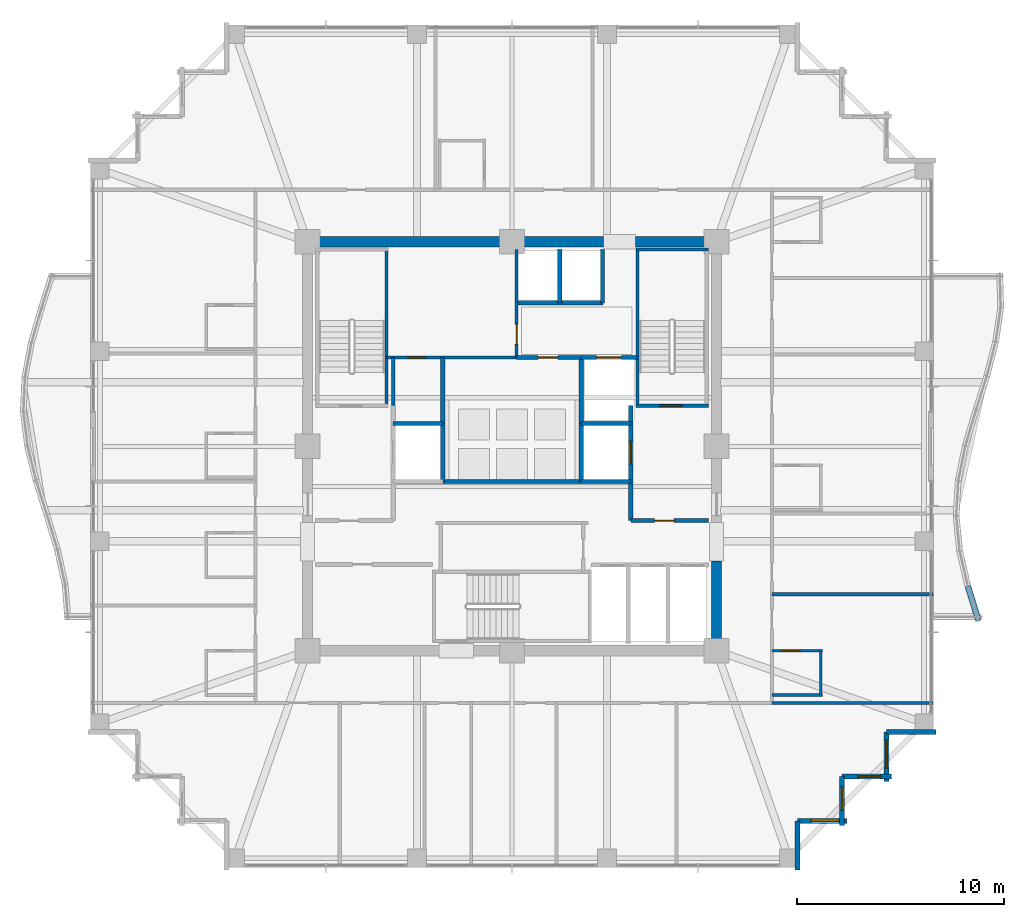
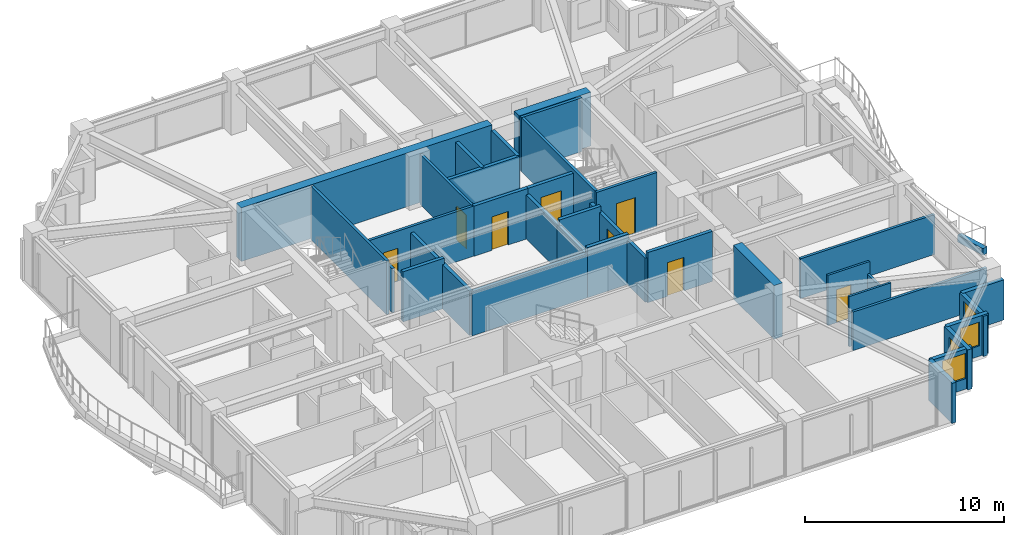
# One storey, part 30 of 34: 37 walls, 8 doors, 4 windows, 12 openings.
"""IFC4 building model written with IfcOpenShell, lengths in metres."""

from ifc_helpers import new_model, si_unit, direction, frame, frame_2d, origin, place, context, subcontext, project, spatial, rectangle, extrude, material, layer, layer_set, type_object, element, fill, save


model = new_model("IFC4")

# Units and contexts
model_context = context("Model", 3, precision=1e-05, world=origin(), true_north=direction((0.0, 1.0)))
body_context = subcontext(model_context, "Body", "Model", "MODEL_VIEW")
ifc_project = project(units=[si_unit("LENGTHUNIT", "METRE"), si_unit("AREAUNIT", "SQUARE_METRE"), si_unit("VOLUMEUNIT", "CUBIC_METRE"), si_unit("PLANEANGLEUNIT", "RADIAN"), si_unit("MASSUNIT", "GRAM", prefix="KILO")], contexts=[model_context])

# Site, building, storey
site_placement = place(None, origin())
site = spatial("IfcSite", under=ifc_project, at=site_placement, CompositionType="ELEMENT")
building_placement = place(site_placement, origin())
building = spatial("IfcBuilding", under=site, at=building_placement, Name="Kolvaren Belvedere", CompositionType="ELEMENT")
storey_placement = place(building_placement, frame((0.0, 0.0, 189.89990234375)))
storey = spatial("IfcBuildingStorey", under=building, at=storey_placement, Name="L55", CompositionType="ELEMENT", Elevation=189.89990234375)

# Walls
ifc_material_1 = material(Name="Concrete C50/60", Category="concrete")
ifc_layer_1 = layer(ifc_material_1, 0.5)
ifc_layer_set_1 = layer_set([ifc_layer_1], Name="Concrete C50/60")
wall_type_1 = type_object("IfcWallType", Name="CW-CORE-500", PredefinedType="SHEAR", material=ifc_layer_set_1)
wall_1_placement = place(storey_placement, frame((-10.14990234375, 9.89990234375, 0.0), z_axis=(0.0, 0.0, 1.0), x_axis=(1.0, 0.0, 0.0)))
element("IfcWall", 1, at=wall_1_placement, inside=storey, type_object=wall_type_1, Name="L55 North Core Shear Wall 1", PredefinedType="SHEAR", context=body_context, shape_type="SweptSolid", body=[
    extrude(rectangle(XDim=14.56982421875, YDim=0.5, at=frame_2d((7.284912109375, 0.0))), origin(), (0.0, 0.0, 1.0), 3.300048828125),
])
wall_2_placement = place(storey_placement, frame((5.97998046875, 9.89990234375, 0.0), z_axis=(0.0, 0.0, 1.0), x_axis=(1.0, 0.0, 0.0)))
element("IfcWall", 2, at=wall_2_placement, inside=storey, type_object=wall_type_1, Name="L55 North Core Shear Wall 2", PredefinedType="SHEAR", context=body_context, shape_type="SweptSolid", body=[
    extrude(rectangle(XDim=4.169921875, YDim=0.5, at=frame_2d((2.0849609375, 0.0))), origin(), (0.0, 0.0, 1.0), 3.300048828125),
])
wall_3_placement = place(storey_placement, frame((9.89990234375, -9.64990234375, 0.0), z_axis=(0.0, 0.0, 1.0), x_axis=(0.0, 1.0, 0.0)))
element("IfcWall", 3, at=wall_3_placement, inside=storey, type_object=wall_type_1, Name="L55 East Core Shear Wall 1", PredefinedType="SHEAR", context=body_context, shape_type="SweptSolid", body=[
    extrude(rectangle(XDim=4.099853515625, YDim=0.5, at=frame_2d((2.0498046875, 0.0))), origin(), (0.0, 0.0, 1.0), 3.300048828125),
])
ifc_material_2 = material(Name="Concrete C50/60", Category="concrete")
ifc_layer_2 = layer(ifc_material_2, 0.159912109375)
ifc_layer_set_2 = layer_set([ifc_layer_2], Name="Concrete C50/60")
wall_type_2 = type_object("IfcWallType", Name="CW-STAIR-160", PredefinedType="SHEAR", material=ifc_layer_set_2)
wall_4_placement = place(storey_placement, frame((-6.080078125, 1.969970703125, 0.0), z_axis=(0.0, 0.0, 1.0), x_axis=(0.0, 1.0, 0.0)))
element("IfcWall", 4, at=wall_4_placement, inside=storey, type_object=wall_type_2, Name="L55 Stair ST-1 East Shear Wall", PredefinedType="SHEAR", context=body_context, shape_type="SweptSolid", body=[
    extrude(rectangle(XDim=7.56005859375, YDim=0.159912109375, at=frame_2d((3.780029296875, 0.0))), origin(), (0.0, 0.0, 1.0), 3.300048828125),
])

# Wall, opening, door
wall_5_placement = place(storey_placement, frame((6.0, 1.969970703125, 0.0), z_axis=(0.0, 0.0, 1.0), x_axis=(1.0, 0.0, 0.0)))
wall_5 = element("IfcWall", 5, at=wall_5_placement, inside=storey, type_object=wall_type_2, Name="L55 Stair ST-2 South Shear Wall", PredefinedType="SHEAR", context=body_context, shape_type="SweptSolid", body=[
    extrude(rectangle(XDim=3.52001953125, YDim=0.159912109375, at=frame_2d((1.760009765625, 0.0))), origin(), (0.0, 0.0, 1.0), 3.300048828125),
])
opening_1_placement = place(wall_5_placement, frame((1.14990234375, 0.0, 0.0)))
opening_1 = element("IfcOpeningElement", 6, at=opening_1_placement, cuts=wall_5, Name="Opening D-FD90", PredefinedType="OPENING", context=body_context, shape_type="SweptSolid", body=[
    extrude(rectangle(XDim=1.10009765625, YDim=2.199951171875, at=frame_2d((0.550048828125, 1.10009765625))), frame((0.0, 0.08984375, 0.0), z_axis=(0.0, -1.0, 0.0), x_axis=(1.0, 0.0, 0.0)), (0.0, 0.0, 1.0), 0.179931640625),
])
ifc_material_3 = material(Name="Painted hollow stainless steel", Category="steel")
door_type_1 = type_object("IfcDoorType", Name="DR-FD90-1100", OperationType="NOTDEFINED", PredefinedType="DOOR", material=ifc_material_3)
door_1_placement = place(opening_1_placement, origin())
door_1 = element("IfcDoor", 7, at=door_1_placement, inside=storey, type_object=door_type_1, Name="L55 Stair ST-2 Fire Door", OperationType="SINGLE_SWING_RIGHT", OverallHeight=2.199951171875, OverallWidth=1.10009765625, PredefinedType="DOOR", context=body_context, shape_type="SweptSolid", body=[
    extrude(rectangle(XDim=1.10009765625, YDim=2.199951171875, at=frame_2d((0.550048828125, 1.10009765625))), frame((0.0, 0.02490234375, 0.0), z_axis=(0.0, -1.0, 0.0), x_axis=(1.0, 0.0, 0.0)), (0.0, 0.0, 1.0), 0.050048828125),
])
fill(opening_1, door_1)

# Walls
wall_6_placement = place(storey_placement, frame((6.0, 9.530029296875, 0.0), z_axis=(0.0, 0.0, 1.0), x_axis=(1.0, 0.0, 0.0)))
element("IfcWall", 8, at=wall_6_placement, inside=storey, type_object=wall_type_2, Name="L55 Stair ST-2 North Shear Wall", PredefinedType="SHEAR", context=body_context, shape_type="SweptSolid", body=[
    extrude(rectangle(XDim=3.52001953125, YDim=0.159912109375, at=frame_2d((1.760009765625, 0.0))), origin(), (0.0, 0.0, 1.0), 3.300048828125),
])
wall_7_placement = place(storey_placement, frame((6.080078125, 1.969970703125, 0.0), z_axis=(0.0, 0.0, 1.0), x_axis=(0.0, 1.0, 0.0)))
element("IfcWall", 9, at=wall_7_placement, inside=storey, type_object=wall_type_2, Name="L55 Stair ST-2 West Shear Wall", PredefinedType="SHEAR", context=body_context, shape_type="SweptSolid", body=[
    extrude(rectangle(XDim=7.56005859375, YDim=0.159912109375, at=frame_2d((3.780029296875, 0.0))), origin(), (0.0, 0.0, 1.0), 3.300048828125),
])
ifc_material_4 = material(Name="Insulated pale-metal facade wall assembly", Category="aluminium")
ifc_layer_3 = layer(ifc_material_4, 0.239990234375)
ifc_layer_set_3 = layer_set([ifc_layer_3], Name="Insulated pale-metal facade wall assembly")
wall_type_3 = type_object("IfcWallType", Name="WL-EXT-240", PredefinedType="STANDARD", material=ifc_layer_set_3)
wall_8_placement = place(storey_placement, frame((13.830078125, -18.1298828125, 0.0), z_axis=(0.0, 0.0, 1.0), x_axis=(0.0, -1.0, 0.0)))
element("IfcWall", 10, at=wall_8_placement, inside=storey, type_object=wall_type_3, Name="L55 Serrated Corner Facade Wall 2", PredefinedType="STANDARD", context=body_context, shape_type="SweptSolid", body=[
    extrude(rectangle(XDim=2.39013671875, YDim=0.239990234375, at=frame_2d((1.195068359375, 0.0))), origin(), (0.0, 0.0, 1.0), 2.463134765625),
])

# Wall, opening, window
wall_9_placement = place(storey_placement, frame((16.219970703125, -18.1298828125, 0.0), z_axis=(0.0, 0.0, 1.0), x_axis=(-1.0, 0.0, 0.0)))
wall_9 = element("IfcWall", 11, at=wall_9_placement, inside=storey, type_object=wall_type_3, Name="L55 Serrated Corner Facade Wall 3", PredefinedType="STANDARD", context=body_context, shape_type="SweptSolid", body=[
    extrude(rectangle(XDim=2.389892578125, YDim=0.239990234375, at=frame_2d((1.19482421875, 0.0))), origin(), (0.0, 0.0, 1.0), 2.463134765625),
])
opening_2_placement = place(wall_9_placement, frame((0.39990234375, 0.0, 0.64990234375)))
opening_2 = element("IfcOpeningElement", 12, at=opening_2_placement, cuts=wall_9, Name="Opening W-1350", PredefinedType="OPENING", context=body_context, shape_type="SweptSolid", body=[
    extrude(rectangle(XDim=1.35009765625, YDim=1.550048828125, at=frame_2d((0.675048828125, 0.77490234375))), frame((0.0, 0.1298828125, 0.0), z_axis=(0.0, -1.0, 0.0), x_axis=(1.0, 0.0, 0.0)), (0.0, 0.0, 1.0), 0.260009765625),
])
ifc_material_5 = material(Name="Low-iron triple insulated glass", Category="glass")
window_type_1 = type_object("IfcWindowType", Name="WN-CORN-1350", PartitioningType="SINGLE_PANEL", PredefinedType="WINDOW", material=ifc_material_5)
window_1_placement = place(opening_2_placement, origin())
window_1 = element("IfcWindow", 13, at=window_1_placement, inside=storey, type_object=window_type_1, Name="L55 Serrated Corner Vision Window 3", OverallHeight=1.550048828125, OverallWidth=1.35009765625, PartitioningType="SINGLE_PANEL", PredefinedType="WINDOW", context=body_context, shape_type="SweptSolid", body=[
    extrude(rectangle(XDim=1.35009765625, YDim=1.550048828125, at=frame_2d((0.675048828125, 0.77490234375))), frame((0.0, 0.030029296875, 0.0), z_axis=(0.0, -1.0, 0.0), x_axis=(1.0, 0.0, 0.0)), (0.0, 0.0, 1.0), 0.06005859375),
])
fill(opening_2, window_1)

wall_10_placement = place(storey_placement, frame((15.97998046875, -15.97998046875, 0.0), z_axis=(0.0, 0.0, 1.0), x_axis=(0.0, -1.0, 0.0)))
wall_10 = element("IfcWall", 14, at=wall_10_placement, inside=storey, type_object=wall_type_3, Name="L55 Serrated Corner Facade Wall 4", PredefinedType="STANDARD", context=body_context, shape_type="SweptSolid", body=[
    extrude(rectangle(XDim=2.39013671875, YDim=0.239990234375, at=frame_2d((1.195068359375, 0.0))), origin(), (0.0, 0.0, 1.0), 2.463134765625),
])
opening_3_placement = place(wall_10_placement, frame((0.52490234375, 0.0, 0.64990234375)))
opening_3 = element("IfcOpeningElement", 15, at=opening_3_placement, cuts=wall_10, Name="Opening W-1100", PredefinedType="OPENING", context=body_context, shape_type="SweptSolid", body=[
    extrude(rectangle(XDim=1.10009765625, YDim=1.449951171875, at=frame_2d((0.550048828125, 0.72509765625))), frame((0.0, 0.1298828125, 0.0), z_axis=(0.0, -1.0, 0.0), x_axis=(1.0, 0.0, 0.0)), (0.0, 0.0, 1.0), 0.260009765625),
])
ifc_material_6 = material(Name="Low-iron triple insulated glass", Category="glass")
window_type_2 = type_object("IfcWindowType", Name="WN-CORN-1100", PartitioningType="SINGLE_PANEL", PredefinedType="WINDOW", material=ifc_material_6)
window_2_placement = place(opening_3_placement, origin())
window_2 = element("IfcWindow", 16, at=window_2_placement, inside=storey, type_object=window_type_2, Name="L55 Serrated Corner Vision Window 4", OverallHeight=1.449951171875, OverallWidth=1.10009765625, PartitioningType="SINGLE_PANEL", PredefinedType="WINDOW", context=body_context, shape_type="SweptSolid", body=[
    extrude(rectangle(XDim=1.10009765625, YDim=1.449951171875, at=frame_2d((0.550048828125, 0.72509765625))), frame((0.0, 0.030029296875, 0.0), z_axis=(0.0, -1.0, 0.0), x_axis=(1.0, 0.0, 0.0)), (0.0, 0.0, 1.0), 0.06005859375),
])
fill(opening_3, window_2)

wall_11_placement = place(storey_placement, frame((18.3701171875, -15.97998046875, 0.0), z_axis=(0.0, 0.0, 1.0), x_axis=(-1.0, 0.0, 0.0)))
wall_11 = element("IfcWall", 17, at=wall_11_placement, inside=storey, type_object=wall_type_3, Name="L55 Serrated Corner Facade Wall 5", PredefinedType="STANDARD", context=body_context, shape_type="SweptSolid", body=[
    extrude(rectangle(XDim=2.39013671875, YDim=0.239990234375, at=frame_2d((1.195068359375, 0.0))), origin(), (0.0, 0.0, 1.0), 2.463134765625),
])
opening_4_placement = place(wall_11_placement, frame((0.52490234375, 0.0, 0.64990234375)))
opening_4 = element("IfcOpeningElement", 18, at=opening_4_placement, cuts=wall_11, Name="Opening W-1100", PredefinedType="OPENING", context=body_context, shape_type="SweptSolid", body=[
    extrude(rectangle(XDim=1.10009765625, YDim=1.449951171875, at=frame_2d((0.550048828125, 0.72509765625))), frame((0.0, 0.1298828125, 0.0), z_axis=(0.0, -1.0, 0.0), x_axis=(1.0, 0.0, 0.0)), (0.0, 0.0, 1.0), 0.260009765625),
])
window_3_placement = place(opening_4_placement, origin())
window_3 = element("IfcWindow", 19, at=window_3_placement, inside=storey, type_object=window_type_2, Name="L55 Serrated Corner Vision Window 5", OverallHeight=1.449951171875, OverallWidth=1.10009765625, PartitioningType="SINGLE_PANEL", PredefinedType="WINDOW", context=body_context, shape_type="SweptSolid", body=[
    extrude(rectangle(XDim=1.10009765625, YDim=1.449951171875, at=frame_2d((0.550048828125, 0.72509765625))), frame((0.0, 0.030029296875, 0.0), z_axis=(0.0, -1.0, 0.0), x_axis=(1.0, 0.0, 0.0)), (0.0, 0.0, 1.0), 0.06005859375),
])
fill(opening_4, window_3)

wall_12_placement = place(storey_placement, frame((18.1298828125, -13.830078125, 0.0), z_axis=(0.0, 0.0, 1.0), x_axis=(0.0, -1.0, 0.0)))
wall_12 = element("IfcWall", 20, at=wall_12_placement, inside=storey, type_object=wall_type_3, Name="L55 Serrated Corner Facade Wall 6", PredefinedType="STANDARD", context=body_context, shape_type="SweptSolid", body=[
    extrude(rectangle(XDim=2.389892578125, YDim=0.239990234375, at=frame_2d((1.19482421875, 0.0))), origin(), (0.0, 0.0, 1.0), 2.463134765625),
])
opening_5_placement = place(wall_12_placement, frame((0.39990234375, 0.0, 0.64990234375)))
opening_5 = element("IfcOpeningElement", 21, at=opening_5_placement, cuts=wall_12, Name="Opening W-1350", PredefinedType="OPENING", context=body_context, shape_type="SweptSolid", body=[
    extrude(rectangle(XDim=1.35009765625, YDim=1.550048828125, at=frame_2d((0.675048828125, 0.77490234375))), frame((0.0, 0.1298828125, 0.0), z_axis=(0.0, -1.0, 0.0), x_axis=(1.0, 0.0, 0.0)), (0.0, 0.0, 1.0), 0.260009765625),
])
window_4_placement = place(opening_5_placement, origin())
window_4 = element("IfcWindow", 22, at=window_4_placement, inside=storey, type_object=window_type_1, Name="L55 Serrated Corner Vision Window 6", OverallHeight=1.550048828125, OverallWidth=1.35009765625, PartitioningType="SINGLE_PANEL", PredefinedType="WINDOW", context=body_context, shape_type="SweptSolid", body=[
    extrude(rectangle(XDim=1.35009765625, YDim=1.550048828125, at=frame_2d((0.675048828125, 0.77490234375))), frame((0.0, 0.030029296875, 0.0), z_axis=(0.0, -1.0, 0.0), x_axis=(1.0, 0.0, 0.0)), (0.0, 0.0, 1.0), 0.06005859375),
])
fill(opening_5, window_4)

# Wall
wall_13_placement = place(storey_placement, frame((20.52001953125, -13.830078125, 0.0), z_axis=(0.0, 0.0, 1.0), x_axis=(-1.0, 0.0, 0.0)))
element("IfcWall", 23, at=wall_13_placement, inside=storey, type_object=wall_type_3, Name="L55 Serrated Corner Facade Wall 7", PredefinedType="STANDARD", context=body_context, shape_type="SweptSolid", body=[
    extrude(rectangle(XDim=2.39013671875, YDim=0.239990234375, at=frame_2d((1.195068359375, 0.0))), origin(), (0.0, 0.0, 1.0), 2.463134765625),
])

# Wall, opening, door
ifc_material_7 = material(Name="Gypsum acoustic partition assembly", Category="gypsum")
ifc_layer_4 = layer(ifc_material_7, 0.14990234375)
ifc_layer_set_4 = layer_set([ifc_layer_4], Name="Gypsum acoustic partition assembly")
wall_type_4 = type_object("IfcWallType", Name="WL-PART-150", PredefinedType="PARTITIONING", material=ifc_layer_set_4)
wall_14_placement = place(storey_placement, frame((-6.080078125, 4.300048828125, 0.0), z_axis=(0.0, 0.0, 1.0), x_axis=(1.0, 0.0, 0.0)))
wall_14 = element("IfcWall", 24, at=wall_14_placement, inside=storey, type_object=wall_type_4, Name="L55 Reclaimed Salon South Wall", PredefinedType="PARTITIONING", context=body_context, shape_type="SweptSolid", body=[
    extrude(rectangle(XDim=6.300048828125, YDim=0.14990234375, at=frame_2d((3.14990234375, 0.0))), origin(), (0.0, 0.0, 1.0), 3.080078125),
])
opening_6_placement = place(wall_14_placement, frame((1.050048828125, 0.0, 0.0)))
opening_6 = element("IfcOpeningElement", 25, at=opening_6_placement, cuts=wall_14, Name="Opening D-INT85", PredefinedType="OPENING", context=body_context, shape_type="SweptSolid", body=[
    extrude(rectangle(XDim=0.85009765625, YDim=2.030029296875, at=frame_2d((0.425048828125, 1.01513671875))), frame((0.0, 0.0849609375, 0.0), z_axis=(0.0, -1.0, 0.0), x_axis=(1.0, 0.0, 0.0)), (0.0, 0.0, 1.0), 0.169921875),
])
ifc_material_8 = material(Name="Stained Pacific white oak", Category="timber")
door_type_2 = type_object("IfcDoorType", Name="DR-INT-850", OperationType="NOTDEFINED", PredefinedType="DOOR", material=ifc_material_8)
door_2_placement = place(opening_6_placement, origin())
door_2 = element("IfcDoor", 26, at=door_2_placement, inside=storey, type_object=door_type_2, Name="L55 NW Core Store Door", OperationType="SINGLE_SWING_RIGHT", OverallHeight=2.030029296875, OverallWidth=0.85009765625, PredefinedType="DOOR", context=body_context, shape_type="SweptSolid", body=[
    extrude(rectangle(XDim=0.85009765625, YDim=2.030029296875, at=frame_2d((0.425048828125, 1.01513671875))), frame((0.0, 0.02490234375, 0.0), z_axis=(0.0, -1.0, 0.0), x_axis=(1.0, 0.0, 0.0)), (0.0, 0.0, 1.0), 0.050048828125),
])
fill(opening_6, door_2)

wall_15_placement = place(storey_placement, frame((0.219970703125, 4.300048828125, 0.0), z_axis=(0.0, 0.0, 1.0), x_axis=(0.0, 1.0, 0.0)))
wall_15 = element("IfcWall", 27, at=wall_15_placement, inside=storey, type_object=wall_type_4, Name="L55 Reclaimed Salon East Wall", PredefinedType="PARTITIONING", context=body_context, shape_type="SweptSolid", body=[
    extrude(rectangle(XDim=5.219970703125, YDim=0.14990234375, at=frame_2d((2.60986328125, 0.0))), origin(), (0.0, 0.0, 1.0), 3.080078125),
])
opening_7_placement = place(wall_15_placement, frame((0.64990234375, 0.0, 0.0)))
opening_7 = element("IfcOpeningElement", 28, at=opening_7_placement, cuts=wall_15, Name="Opening D-INT95", PredefinedType="OPENING", context=body_context, shape_type="SweptSolid", body=[
    extrude(rectangle(XDim=0.949951171875, YDim=2.06005859375, at=frame_2d((0.47509765625, 1.030029296875))), frame((0.0, 0.0849609375, 0.0), z_axis=(0.0, -1.0, 0.0), x_axis=(1.0, 0.0, 0.0)), (0.0, 0.0, 1.0), 0.169921875),
])
ifc_material_9 = material(Name="Stained Pacific white oak", Category="timber")
door_type_3 = type_object("IfcDoorType", Name="DR-INT-950", OperationType="NOTDEFINED", PredefinedType="DOOR", material=ifc_material_9)
door_3_placement = place(opening_7_placement, origin())
door_3 = element("IfcDoor", 29, at=door_3_placement, inside=storey, type_object=door_type_3, Name="L55 Botanical Reading Salon Door", OperationType="SINGLE_SWING_LEFT", OverallHeight=2.06005859375, OverallWidth=0.949951171875, PredefinedType="DOOR", context=body_context, shape_type="SweptSolid", body=[
    extrude(rectangle(XDim=0.949951171875, YDim=2.06005859375, at=frame_2d((0.47509765625, 1.030029296875))), frame((0.0, 0.02490234375, 0.0), z_axis=(0.0, -1.0, 0.0), x_axis=(1.0, 0.0, 0.0)), (0.0, 0.0, 1.0), 0.050048828125),
])
fill(opening_7, door_3)

# Walls
wall_16_placement = place(storey_placement, frame((-5.75, 1.969970703125, 0.0), z_axis=(0.0, 0.0, 1.0), x_axis=(0.0, 1.0, 0.0)))
element("IfcWall", 30, at=wall_16_placement, inside=storey, type_object=wall_type_4, Name="L55 NW Service Room West Wall", PredefinedType="PARTITIONING", context=body_context, shape_type="SweptSolid", body=[
    extrude(rectangle(XDim=2.330078125, YDim=0.14990234375, at=frame_2d((1.1650390625, 0.0))), origin(), (0.0, 0.0, 1.0), 2.715087890625),
])
wall_17_placement = place(storey_placement, frame((12.580078125, -12.419921875, 0.0), z_axis=(0.0, 0.0, 1.0), x_axis=(1.0, 0.0, 0.0)))
element("IfcWall", 31, at=wall_17_placement, inside=storey, type_object=wall_type_4, Name="L55 Wing Divider PW-L55-QSE", PredefinedType="PARTITIONING", context=body_context, shape_type="SweptSolid", body=[
    extrude(rectangle(XDim=7.7998046875, YDim=0.14990234375, at=frame_2d((3.89990234375, 0.0))), origin(), (0.0, 0.0, 1.0), 2.369140625),
])
wall_18_placement = place(storey_placement, frame((12.580078125, -7.159912109375, 0.0), z_axis=(0.0, 0.0, 1.0), x_axis=(1.0, 0.0, 0.0)))
element("IfcWall", 32, at=wall_18_placement, inside=storey, type_object=wall_type_4, Name="L55 East Suite Demising Wall 1", PredefinedType="PARTITIONING", context=body_context, shape_type="SweptSolid", body=[
    extrude(rectangle(XDim=7.7998046875, YDim=0.14990234375, at=frame_2d((3.89990234375, 0.0))), origin(), (0.0, 0.0, 1.0), 2.453125),
])
ifc_material_10 = material(Name="Precast concrete C40/50", Category="concrete")
ifc_layer_5 = layer(ifc_material_10, 0.300048828125)
ifc_layer_set_5 = layer_set([ifc_layer_5], Name="Precast concrete C40/50")
wall_type_5 = type_object("IfcWallType", Name="WL-PLANTER-300", PredefinedType="PARAPET", material=ifc_layer_set_5)
wall_19_placement = place(storey_placement, frame((22.587158203125, -8.447265625, -0.039794921875), z_axis=(0.0, 0.0, 1.0), x_axis=(-0.295831524561, 0.95524013163, 0.0)))
element("IfcWall", 33, at=wall_19_placement, inside=storey, type_object=wall_type_5, Name="L55 Precast Structural Planter Wall BAL-E-1", PredefinedType="PARAPET", context=body_context, shape_type="SweptSolid", body=[
    extrude(rectangle(XDim=1.758544921875, YDim=0.280029296875, at=frame_2d((0.87939453125, 0.0))), origin(), (0.0, 0.0, 1.0), 0.419921875),
])
ifc_material_11 = material(Name="Concrete C50/60", Category="concrete")
ifc_layer_6 = layer(ifc_material_11, 0.199951171875)
ifc_layer_set_6 = layer_set([ifc_layer_6], Name="Concrete C50/60")
wall_type_6 = type_object("IfcWallType", Name="WL-SHAFT-200", PredefinedType="SOLIDWALL", material=ifc_layer_set_6)
wall_20_placement = place(storey_placement, frame((-3.35009765625, -1.699951171875, 0.0), z_axis=(0.0, 0.0, 1.0), x_axis=(0.0, 1.0, 0.0)))
element("IfcWall", 34, at=wall_20_placement, inside=storey, type_object=wall_type_6, Name="L55 FSAE FS1 Back Wall", PredefinedType="SOLIDWALL", context=body_context, shape_type="SweptSolid", body=[
    extrude(rectangle(XDim=2.800048828125, YDim=0.199951171875, at=frame_2d((1.39990234375, 0.0))), origin(), (0.0, 0.0, 1.0), 2.715087890625),
])
wall_21_placement = place(storey_placement, frame((-5.75, 1.10009765625, 0.0), z_axis=(0.0, 0.0, 1.0), x_axis=(1.0, 0.0, 0.0)))
element("IfcWall", 35, at=wall_21_placement, inside=storey, type_object=wall_type_6, Name="L55 FSAE FS1 North Wall", PredefinedType="SOLIDWALL", context=body_context, shape_type="SweptSolid", body=[
    extrude(rectangle(XDim=2.39990234375, YDim=0.199951171875, at=frame_2d((1.199951171875, 0.0))), origin(), (0.0, 0.0, 1.0), 3.080078125),
])

# Wall, opening, door
wall_22_placement = place(storey_placement, frame((5.75, -3.60009765625, 0.0), z_axis=(0.0, 0.0, 1.0), x_axis=(1.0, 0.0, 0.0)))
wall_22 = element("IfcWall", 36, at=wall_22_placement, inside=storey, type_object=wall_type_6, Name="L55 East FSAE Lobby South Wall", PredefinedType="SOLIDWALL", context=body_context, shape_type="SweptSolid", body=[
    extrude(rectangle(XDim=3.77001953125, YDim=0.199951171875, at=frame_2d((1.885009765625, 0.0))), origin(), (0.0, 0.0, 1.0), 3.080078125),
])
opening_8_placement = place(wall_22_placement, frame((1.14990234375, 0.0, 0.0)))
opening_8 = element("IfcOpeningElement", 37, at=opening_8_placement, cuts=wall_22, Name="Opening D-FD60", PredefinedType="OPENING", context=body_context, shape_type="SweptSolid", body=[
    extrude(rectangle(XDim=0.949951171875, YDim=2.06005859375, at=frame_2d((0.47509765625, 1.030029296875))), frame((0.0, 0.10986328125, 0.0), z_axis=(0.0, -1.0, 0.0), x_axis=(1.0, 0.0, 0.0)), (0.0, 0.0, 1.0), 0.219970703125),
])
ifc_material_12 = material(Name="Acoustic white-oak fire door leaf", Category="timber")
door_type_4 = type_object("IfcDoorType", Name="DR-FD60-950", OperationType="NOTDEFINED", PredefinedType="DOOR", material=ifc_material_12)
door_4_placement = place(opening_8_placement, origin())
door_4 = element("IfcDoor", 38, at=door_4_placement, inside=storey, type_object=door_type_4, Name="L55 SE Lift Lobby Fire Door", OperationType="SINGLE_SWING_RIGHT", OverallHeight=2.06005859375, OverallWidth=0.949951171875, PredefinedType="DOOR", context=body_context, shape_type="SweptSolid", body=[
    extrude(rectangle(XDim=0.949951171875, YDim=2.06005859375, at=frame_2d((0.47509765625, 1.030029296875))), frame((0.0, 0.02490234375, 0.0), z_axis=(0.0, -1.0, 0.0), x_axis=(1.0, 0.0, 0.0)), (0.0, 0.0, 1.0), 0.050048828125),
])
fill(opening_8, door_4)

wall_23_placement = place(storey_placement, frame((5.75, -3.60009765625, 0.0), z_axis=(0.0, 0.0, 1.0), x_axis=(0.0, 1.0, 0.0)))
wall_23 = element("IfcWall", 39, at=wall_23_placement, inside=storey, type_object=wall_type_6, Name="L55 FSAE FS2 Landing Wall", PredefinedType="SOLIDWALL", context=body_context, shape_type="SweptSolid", body=[
    extrude(rectangle(XDim=5.570068359375, YDim=0.199951171875, at=frame_2d((2.78515625, 0.0))), origin(), (0.0, 0.0, 1.0), 2.715087890625),
])
opening_9_placement = place(wall_23_placement, frame((2.75, 0.0, 0.0)))
opening_9 = element("IfcOpeningElement", 40, at=opening_9_placement, cuts=wall_23, Name="Opening LD-11", PredefinedType="OPENING", context=body_context, shape_type="SweptSolid", body=[
    extrude(rectangle(XDim=1.10009765625, YDim=2.199951171875, at=frame_2d((0.550048828125, 1.10009765625))), frame((0.0, 0.10986328125, 0.0), z_axis=(0.0, -1.0, 0.0), x_axis=(1.0, 0.0, 0.0)), (0.0, 0.0, 1.0), 0.219970703125),
])
ifc_material_13 = material(Name="Brushed stainless steel", Category="steel")
door_type_5 = type_object("IfcDoorType", Name="DR-LIFT-1100", OperationType="DOUBLE_DOOR_SLIDING", PredefinedType="DOOR", material=ifc_material_13)
door_5_placement = place(opening_9_placement, origin())
door_5 = element("IfcDoor", 41, at=door_5_placement, inside=storey, type_object=door_type_5, Name="L55 Firefighting Lift FS2 Landing Door", OperationType="DOUBLE_DOOR_SLIDING", OverallHeight=2.199951171875, OverallWidth=1.10009765625, PredefinedType="DOOR", context=body_context, shape_type="SweptSolid", body=[
    extrude(rectangle(XDim=1.10009765625, YDim=2.199951171875, at=frame_2d((0.550048828125, 1.10009765625))), frame((0.0, 0.02490234375, 0.0), z_axis=(0.0, -1.0, 0.0), x_axis=(1.0, 0.0, 0.0)), (0.0, 0.0, 1.0), 0.050048828125),
])
fill(opening_9, door_5)

# Walls
wall_24_placement = place(storey_placement, frame((3.35009765625, -1.699951171875, 0.0), z_axis=(0.0, 0.0, 1.0), x_axis=(0.0, 1.0, 0.0)))
element("IfcWall", 42, at=wall_24_placement, inside=storey, type_object=wall_type_6, Name="L55 FSAE FS2 Back Wall", PredefinedType="SOLIDWALL", context=body_context, shape_type="SweptSolid", body=[
    extrude(rectangle(XDim=2.800048828125, YDim=0.199951171875, at=frame_2d((1.39990234375, 0.0))), origin(), (0.0, 0.0, 1.0), 2.715087890625),
])
for number, where, z_axis, x_axis, name in (
    (43, (3.35009765625, -1.699951171875, 0.0), (0.0, 0.0, 1.0), (1.0, 0.0, 0.0), "L55 FSAE FS2 South Wall"),
    (44, (3.35009765625, 1.10009765625, 0.0), (0.0, 0.0, 1.0), (1.0, 0.0, 0.0), "L55 FSAE FS2 North Wall"),
):
    element("IfcWall", number, at=place(storey_placement, frame(where, z_axis=z_axis, x_axis=x_axis)), inside=storey, type_object=wall_type_6, Name=name, PredefinedType="SOLIDWALL", context=body_context, shape_type="SweptSolid", body=[
        extrude(rectangle(XDim=2.39990234375, YDim=0.199951171875, at=frame_2d((1.199951171875, 0.0))), origin(), (0.0, 0.0, 1.0), 3.080078125),
    ])

# Wall, opening, door
wall_25_placement = place(storey_placement, frame((3.35009765625, 4.300048828125, 0.0), z_axis=(0.0, 0.0, 1.0), x_axis=(1.0, 0.0, 0.0)))
wall_25 = element("IfcWall", 45, at=wall_25_placement, inside=storey, type_object=wall_type_6, Name="L55 Service Lift SV1 Front Wall", PredefinedType="SOLIDWALL", context=body_context, shape_type="SweptSolid", body=[
    extrude(rectangle(XDim=2.72998046875, YDim=0.199951171875, at=frame_2d((1.364990234375, 0.0))), origin(), (0.0, 0.0, 1.0), 3.080078125),
])
opening_10_placement = place(wall_25_placement, frame((0.75, 0.0, 0.0)))
opening_10 = element("IfcOpeningElement", 46, at=opening_10_placement, cuts=wall_25, Name="Opening LD-12", PredefinedType="OPENING", context=body_context, shape_type="SweptSolid", body=[
    extrude(rectangle(XDim=1.199951171875, YDim=2.25, at=frame_2d((0.60009765625, 1.125))), frame((0.0, 0.10986328125, 0.0), z_axis=(0.0, -1.0, 0.0), x_axis=(1.0, 0.0, 0.0)), (0.0, 0.0, 1.0), 0.219970703125),
])
ifc_material_14 = material(Name="Brushed stainless steel", Category="steel")
door_type_6 = type_object("IfcDoorType", Name="DR-LIFT-1200", OperationType="DOUBLE_DOOR_SLIDING", PredefinedType="DOOR", material=ifc_material_14)
door_6_placement = place(opening_10_placement, origin())
door_6 = element("IfcDoor", 47, at=door_6_placement, inside=storey, type_object=door_type_6, Name="L55 Service Lift SV1 Landing Door", OperationType="DOUBLE_DOOR_SLIDING", OverallHeight=2.25, OverallWidth=1.199951171875, PredefinedType="DOOR", context=body_context, shape_type="SweptSolid", body=[
    extrude(rectangle(XDim=1.199951171875, YDim=2.25, at=frame_2d((0.60009765625, 1.125))), frame((0.0, 0.02490234375, 0.0), z_axis=(0.0, -1.0, 0.0), x_axis=(1.0, 0.0, 0.0)), (0.0, 0.0, 1.0), 0.050048828125),
])
fill(opening_10, door_6)

# Walls
wall_26_placement = place(storey_placement, frame((0.219970703125, 6.949951171875, 0.0), z_axis=(0.0, 0.0, 1.0), x_axis=(1.0, 0.0, 0.0)))
element("IfcWall", 48, at=wall_26_placement, inside=storey, type_object=wall_type_6, Name="L55 Express Shuttle Hoistway Wall", PredefinedType="SOLIDWALL", context=body_context, shape_type="SweptSolid", body=[
    extrude(rectangle(XDim=4.179931640625, YDim=0.199951171875, at=frame_2d((2.08984375, 0.0))), origin(), (0.0, 0.0, 1.0), 3.080078125),
])
for number, where, z_axis, x_axis, name in (
    (49, (4.3798828125, 6.949951171875, 0.0), (0.0, 0.0, 1.0), (0.0, 1.0, 0.0), "L55 Express Shuttle East Wall"),
    (50, (2.31005859375, 6.949951171875, 0.0), (0.0, 0.0, 1.0), (0.0, 1.0, 0.0), "L55 Express Shuttle Divider"),
):
    element("IfcWall", number, at=place(storey_placement, frame(where, z_axis=z_axis, x_axis=x_axis)), inside=storey, type_object=wall_type_6, Name=name, PredefinedType="SOLIDWALL", context=body_context, shape_type="SweptSolid", body=[
        extrude(rectangle(XDim=2.570068359375, YDim=0.199951171875, at=frame_2d((1.28515625, 0.0))), origin(), (0.0, 0.0, 1.0), 3.080078125),
    ])

# Wall, opening, door
wall_27_placement = place(storey_placement, frame((0.219970703125, 4.300048828125, 0.0), z_axis=(0.0, 0.0, 1.0), x_axis=(1.0, 0.0, 0.0)))
wall_27 = element("IfcWall", 51, at=wall_27_placement, inside=storey, type_object=wall_type_6, Name="L55 Central Core Room North Wall", PredefinedType="SOLIDWALL", context=body_context, shape_type="SweptSolid", body=[
    extrude(rectangle(XDim=3.130126953125, YDim=0.199951171875, at=frame_2d((1.56494140625, 0.0))), origin(), (0.0, 0.0, 1.0), 3.080078125),
])
opening_11_placement = place(wall_27_placement, frame((1.050048828125, 0.0, 0.0)))
opening_11 = element("IfcOpeningElement", 52, at=opening_11_placement, cuts=wall_27, Name="Opening D-FD60", PredefinedType="OPENING", context=body_context, shape_type="SweptSolid", body=[
    extrude(rectangle(XDim=0.949951171875, YDim=2.06005859375, at=frame_2d((0.47509765625, 1.030029296875))), frame((0.0, 0.10986328125, 0.0), z_axis=(0.0, -1.0, 0.0), x_axis=(1.0, 0.0, 0.0)), (0.0, 0.0, 1.0), 0.219970703125),
])
door_7_placement = place(opening_11_placement, origin())
door_7 = element("IfcDoor", 53, at=door_7_placement, inside=storey, type_object=door_type_4, Name="L55 Central Core Controls Door", OperationType="SINGLE_SWING_LEFT", OverallHeight=2.06005859375, OverallWidth=0.949951171875, PredefinedType="DOOR", context=body_context, shape_type="SweptSolid", body=[
    extrude(rectangle(XDim=0.949951171875, YDim=2.06005859375, at=frame_2d((0.47509765625, 1.030029296875))), frame((0.0, 0.02490234375, 0.0), z_axis=(0.0, -1.0, 0.0), x_axis=(1.0, 0.0, 0.0)), (0.0, 0.0, 1.0), 0.050048828125),
])
fill(opening_11, door_7)

# Walls
wall_28_placement = place(storey_placement, frame((-3.35009765625, -1.699951171875, 0.0), z_axis=(0.0, 0.0, 1.0), x_axis=(1.0, 0.0, 0.0)))
element("IfcWall", 54, at=wall_28_placement, inside=storey, type_object=wall_type_6, Name="L55 Central Core Room South Wall", PredefinedType="SOLIDWALL", context=body_context, shape_type="SweptSolid", body=[
    extrude(rectangle(XDim=6.7001953125, YDim=0.199951171875, at=frame_2d((3.35009765625, 0.0))), origin(), (0.0, 0.0, 1.0), 2.715087890625),
])
for number, where, z_axis, x_axis, name in (
    (55, (-3.35009765625, 1.10009765625, 0.0), (0.0, 0.0, 1.0), (0.0, 1.0, 0.0), "L55 Central Core Room West Wall"),
    (56, (3.35009765625, 1.10009765625, 0.0), (0.0, 0.0, 1.0), (0.0, 1.0, 0.0), "L55 Central Core Room East Wall"),
):
    element("IfcWall", number, at=place(storey_placement, frame(where, z_axis=z_axis, x_axis=x_axis)), inside=storey, type_object=wall_type_6, Name=name, PredefinedType="SOLIDWALL", context=body_context, shape_type="SweptSolid", body=[
        extrude(rectangle(XDim=3.199951171875, YDim=0.199951171875, at=frame_2d((1.60009765625, 0.0))), origin(), (0.0, 0.0, 1.0), 2.715087890625),
    ])

# Wall, opening, door
ifc_material_15 = material(Name="Moisture-resistant gypsum partition", Category="gypsum")
ifc_layer_7 = layer(ifc_material_15, 0.125)
ifc_layer_set_7 = layer_set([ifc_layer_7], Name="Moisture-resistant gypsum partition")
wall_type_7 = type_object("IfcWallType", Name="WL-WET-125", PredefinedType="PARTITIONING", material=ifc_layer_set_7)
wall_29_placement = place(storey_placement, frame((12.594970703125, -9.89111328125, 0.0), z_axis=(0.0, 0.0, 1.0), x_axis=(1.0, 0.0, 0.0)))
wall_29 = element("IfcWall", 57, at=wall_29_placement, inside=storey, type_object=wall_type_7, Name="L55 Bathroom Partition PW-L55-BTH-5-N", PredefinedType="PARTITIONING", context=body_context, shape_type="SweptSolid", body=[
    extrude(rectangle(XDim=2.43994140625, YDim=0.125, at=frame_2d((1.219970703125, 0.0))), origin(), (0.0, 0.0, 1.0), 3.080078125),
])
opening_12_placement = place(wall_29_placement, frame((0.5, 0.0, 0.0)))
opening_12 = element("IfcOpeningElement", 58, at=opening_12_placement, cuts=wall_29, Name="Opening D-BTH85", PredefinedType="OPENING", context=body_context, shape_type="SweptSolid", body=[
    extrude(rectangle(XDim=0.85009765625, YDim=2.030029296875, at=frame_2d((0.425048828125, 1.01513671875))), frame((0.0, 0.072509765625, 0.0), z_axis=(0.0, -1.0, 0.0), x_axis=(1.0, 0.0, 0.0)), (0.0, 0.0, 1.0), 0.14501953125),
])
ifc_material_16 = material(Name="Moisture-sealed Pacific white oak", Category="timber")
door_type_7 = type_object("IfcDoorType", Name="DR-BATH-850", OperationType="NOTDEFINED", PredefinedType="DOOR", material=ifc_material_16)
door_8_placement = place(opening_12_placement, origin())
door_8 = element("IfcDoor", 59, at=door_8_placement, inside=storey, type_object=door_type_7, Name="L55 En-Suite Bathroom 5505 Door", OperationType="SINGLE_SWING_LEFT", OverallHeight=2.030029296875, OverallWidth=0.85009765625, PredefinedType="DOOR", context=body_context, shape_type="SweptSolid", body=[
    extrude(rectangle(XDim=0.85009765625, YDim=2.030029296875, at=frame_2d((0.425048828125, 1.01513671875))), frame((0.0, 0.02490234375, 0.0), z_axis=(0.0, -1.0, 0.0), x_axis=(1.0, 0.0, 0.0)), (0.0, 0.0, 1.0), 0.050048828125),
])
fill(opening_12, door_8)

# Walls
wall_30_placement = place(storey_placement, frame((14.955078125, -12.10107421875, 0.0), z_axis=(0.0, 0.0, 1.0), x_axis=(0.0, 1.0, 0.0)))
element("IfcWall", 60, at=wall_30_placement, inside=storey, type_object=wall_type_7, Name="L55 Bathroom Partition PW-L55-BTH-5-V", PredefinedType="PARTITIONING", context=body_context, shape_type="SweptSolid", body=[
    extrude(rectangle(XDim=2.27001953125, YDim=0.125, at=frame_2d((1.135009765625, 0.0))), origin(), (0.0, 0.0, 1.0), 2.369140625),
])
wall_31_placement = place(storey_placement, frame((12.594970703125, -12.041015625, 0.0), z_axis=(0.0, 0.0, 1.0), x_axis=(1.0, 0.0, 0.0)))
element("IfcWall", 61, at=wall_31_placement, inside=storey, type_object=wall_type_7, Name="L55 Bathroom Partition PW-L55-BTH-5-S", PredefinedType="PARTITIONING", context=body_context, shape_type="SweptSolid", body=[
    extrude(rectangle(XDim=2.43994140625, YDim=0.125, at=frame_2d((1.219970703125, 0.0))), origin(), (0.0, 0.0, 1.0), 3.080078125),
])

save(model, "model.ifc")
